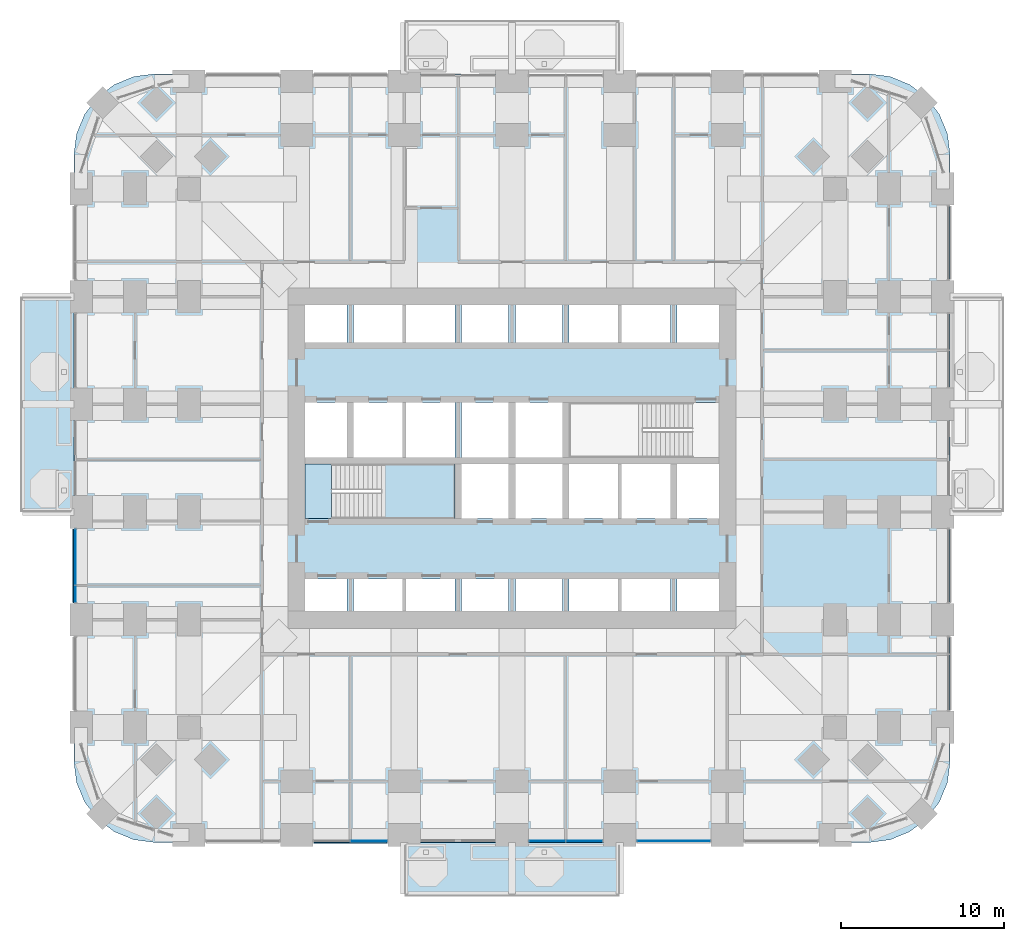
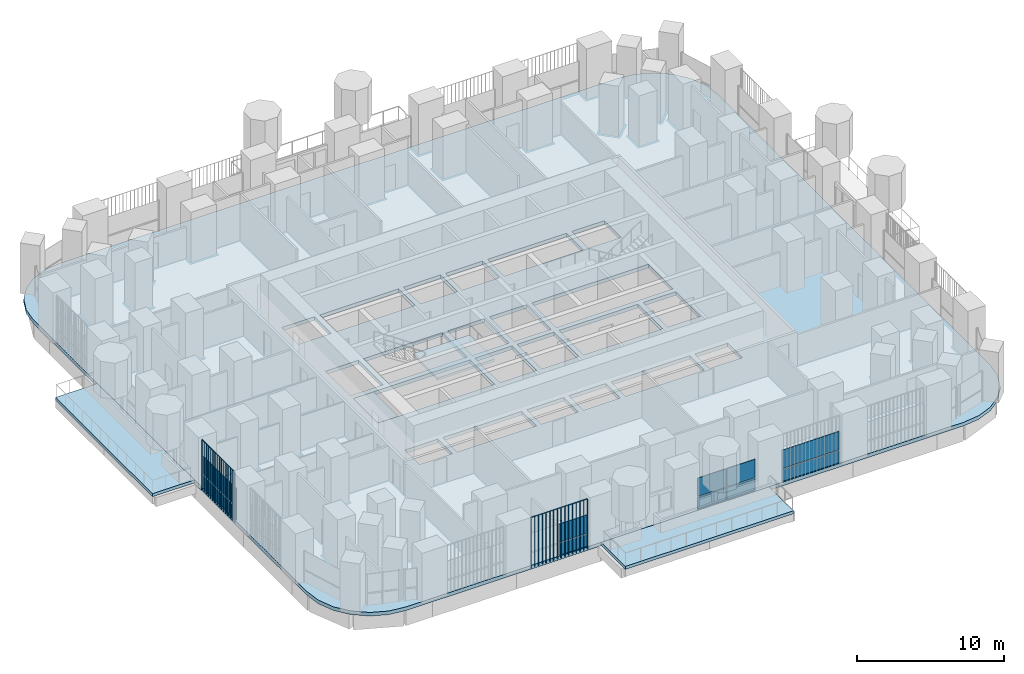
# One storey, part 11 of 25: 14 plates, 5 slabs, 5 elements without a shape of their own.
"""IFC4 building model written with IfcOpenShell, lengths in metres."""

from ifc_helpers import new_model, si_unit, direction, frame, origin, origin_2d, place, context, subcontext, project, spatial, polyline, rectangle, outline, extrude, material, layer, layer_set, type_object, element, aggregate, save


model = new_model("IFC4")

# Units and contexts
model_context = context("Model", 3, precision=1e-05, world=origin(), true_north=direction((0.0, 1.0)))
body_context = subcontext(model_context, "Body", "Model", "MODEL_VIEW")
ifc_project = project(units=[si_unit("LENGTHUNIT", "METRE"), si_unit("AREAUNIT", "SQUARE_METRE"), si_unit("VOLUMEUNIT", "CUBIC_METRE"), si_unit("PLANEANGLEUNIT", "RADIAN"), si_unit("MASSUNIT", "GRAM", prefix="KILO")], contexts=[model_context])

# Site, building, storey
site_placement = place(None, origin())
site = spatial("IfcSite", under=ifc_project, at=site_placement, CompositionType="ELEMENT")
building_placement = place(site_placement, origin())
building = spatial("IfcBuilding", under=site, at=building_placement, Name="Cobogo Forest Laboratory Tower", CompositionType="ELEMENT")
storey_placement = place(building_placement, frame((0.0, 0.0, 67.5)))
storey = spatial("IfcBuildingStorey", under=building, at=storey_placement, Name="L15", CompositionType="ELEMENT", Elevation=67.5)

# Slabs
ifc_material_1 = material(Name="Concrete HA-40 (C40/50)", Category="concrete")
ifc_layer_1 = layer(ifc_material_1, 0.25)
ifc_layer_set_1 = layer_set([ifc_layer_1], Name="Balcony slab 250")
slab_type_1 = type_object("IfcSlabType", Name="Balcony slab 250", PredefinedType="FLOOR", material=ifc_layer_set_1)
slab_1_placement = place(storey_placement, frame((0.0, 0.0, -0.25)))
element("IfcSlab", 1, at=slab_1_placement, inside=storey, type_object=slab_type_1, Name="Balcony BAL-S1 L15", PredefinedType="FLOOR", context=body_context, shape_type="SweptSolid", body=[
    extrude(outline(polyline([(19.800048828125, -3.75), (33.0, -3.75), (33.0, -0.449951171875), (19.800048828125, -0.449951171875), (19.800048828125, -3.75)])), origin(), (0.0, 0.0, 1.0), 0.25),
])
slab_2_placement = place(storey_placement, frame((0.0, 0.0, -0.25)))
element("IfcSlab", 2, at=slab_2_placement, inside=storey, type_object=slab_type_1, Name="Balcony BAL-W1 L15", PredefinedType="FLOOR", context=body_context, shape_type="SweptSolid", body=[
    extrude(outline(polyline([(-3.75, 19.800048828125), (-0.449951171875, 19.800048828125), (-0.449951171875, 33.0), (-3.75, 33.0), (-3.75, 19.800048828125)])), origin(), (0.0, 0.0, 1.0), 0.25),
])
ifc_layer_2 = layer(ifc_material_1, 0.300048828125)
ifc_layer_set_2 = layer_set([ifc_layer_2], Name="Floor slab 300")
slab_type_2 = type_object("IfcSlabType", Name="Floor slab 300", PredefinedType="FLOOR", material=ifc_layer_set_2)
slab_3_placement = place(storey_placement, frame((0.0, 0.0, -0.300048828125)))
element("IfcSlab", 3, at=slab_3_placement, inside=storey, type_object=slab_type_2, Name="L15 floor slab", PredefinedType="FLOOR", context=body_context, shape_type="SweptSolid", body=[
    extrude(outline(polyline([(48.300048828125, -0.449951171875), (49.5810546875, -0.28125), (50.77490234375, 0.213134765625), (51.80029296875, 0.999755859375), (52.5869140625, 2.02490234375), (53.081298828125, 3.21875), (53.25, 4.5), (53.25, 41.699951171875), (53.081298828125, 42.981201171875), (52.5869140625, 44.175048828125), (51.80029296875, 45.2001953125), (50.77490234375, 45.98681640625), (49.5810546875, 46.4814453125), (48.300048828125, 46.64990234375), (4.5, 46.64990234375), (3.21875, 46.4814453125), (2.02490234375, 45.98681640625), (0.999755859375, 45.2001953125), (0.213134765625, 44.175048828125), (-0.28125, 42.981201171875), (-0.449951171875, 41.699951171875), (-0.449951171875, 4.5), (-0.28125, 3.21875), (0.213134765625, 2.02490234375), (0.999755859375, 0.999755859375), (2.02490234375, 0.213134765625), (3.21875, -0.28125), (4.5, -0.449951171875), (48.300048828125, -0.449951171875)]), holes=[polyline([(16.300048828125, 13.72509765625), (13.72509765625, 13.72509765625), (13.72509765625, 15.699951171875), (16.300048828125, 15.699951171875), (16.300048828125, 13.72509765625)]), polyline([(22.89990234375, 15.699951171875), (22.89990234375, 13.72509765625), (16.699951171875, 13.72509765625), (16.699951171875, 15.699951171875), (22.89990234375, 15.699951171875)]), polyline([(23.300048828125, 13.72509765625), (23.300048828125, 15.699951171875), (26.199951171875, 15.699951171875), (26.199951171875, 13.72509765625), (23.300048828125, 13.72509765625)]), polyline([(29.5, 13.72509765625), (26.60009765625, 13.72509765625), (26.60009765625, 15.699951171875), (29.5, 15.699951171875), (29.5, 13.72509765625)]), polyline([(36.10009765625, 15.699951171875), (36.10009765625, 13.72509765625), (29.89990234375, 13.72509765625), (29.89990234375, 15.699951171875), (36.10009765625, 15.699951171875)]), polyline([(36.5, 13.72509765625), (36.5, 15.699951171875), (39.074951171875, 15.699951171875), (39.074951171875, 13.72509765625), (36.5, 13.72509765625)]), polyline([(13.72509765625, 19.39990234375), (13.72509765625, 22.75), (22.89990234375, 22.75), (22.89990234375, 19.39990234375), (13.72509765625, 19.39990234375)]), polyline([(23.300048828125, 19.39990234375), (23.300048828125, 22.75), (26.199951171875, 22.75), (26.199951171875, 19.39990234375), (23.300048828125, 19.39990234375)]), polyline([(26.60009765625, 19.39990234375), (26.60009765625, 22.75), (29.5, 22.75), (29.5, 19.39990234375), (26.60009765625, 19.39990234375)]), polyline([(36.10009765625, 22.75), (36.10009765625, 19.39990234375), (29.89990234375, 19.39990234375), (29.89990234375, 22.75), (36.10009765625, 22.75)]), polyline([(39.074951171875, 19.39990234375), (36.5, 19.39990234375), (36.5, 22.75), (39.074951171875, 22.75), (39.074951171875, 19.39990234375)]), polyline([(13.72509765625, 23.14990234375), (13.72509765625, 26.5), (16.300048828125, 26.5), (16.300048828125, 23.14990234375), (13.72509765625, 23.14990234375)]), polyline([(22.89990234375, 26.5), (22.89990234375, 23.14990234375), (16.699951171875, 23.14990234375), (16.699951171875, 26.5), (22.89990234375, 26.5)]), polyline([(23.300048828125, 23.14990234375), (23.300048828125, 26.5), (26.199951171875, 26.5), (26.199951171875, 23.14990234375), (23.300048828125, 23.14990234375)]), polyline([(26.60009765625, 23.14990234375), (26.60009765625, 26.5), (29.5, 26.5), (29.5, 23.14990234375), (26.60009765625, 23.14990234375)]), polyline([(29.89990234375, 23.14990234375), (29.89990234375, 26.5), (39.074951171875, 26.5), (39.074951171875, 23.14990234375), (29.89990234375, 23.14990234375)]), polyline([(13.72509765625, 30.199951171875), (13.72509765625, 32.47509765625), (16.300048828125, 32.47509765625), (16.300048828125, 30.199951171875), (13.72509765625, 30.199951171875)]), polyline([(22.89990234375, 32.47509765625), (22.89990234375, 30.199951171875), (16.699951171875, 30.199951171875), (16.699951171875, 32.47509765625), (22.89990234375, 32.47509765625)]), polyline([(23.300048828125, 30.199951171875), (23.300048828125, 32.47509765625), (26.199951171875, 32.47509765625), (26.199951171875, 30.199951171875), (23.300048828125, 30.199951171875)]), polyline([(26.60009765625, 30.199951171875), (26.60009765625, 32.47509765625), (29.5, 32.47509765625), (29.5, 30.199951171875), (26.60009765625, 30.199951171875)]), polyline([(36.10009765625, 32.47509765625), (36.10009765625, 30.199951171875), (29.89990234375, 30.199951171875), (29.89990234375, 32.47509765625), (36.10009765625, 32.47509765625)]), polyline([(36.5, 30.199951171875), (36.5, 32.47509765625), (39.074951171875, 32.47509765625), (39.074951171875, 30.199951171875), (36.5, 30.199951171875)])]), origin(), (0.0, 0.0, 1.0), 0.300048828125),
])

# Curtain wall, plates
ifc_material_2 = material(Name="Aluminium curtain wall", Category="aluminium")
curtain_wall_type = type_object("IfcCurtainWallType", Name="CW-1 unitised curtain wall, clear glazing, laboratory floors zones A and B", PredefinedType="USERDEFINED", material=ifc_material_2)
curtain_wall_1_placement = place(storey_placement, origin())
curtain_wall_1 = element("IfcCurtainWall", 4, at=curtain_wall_1_placement, inside=storey, type_object=curtain_wall_type, Name="Curtain wall 02 L15", ObjectType="UNITISED CURTAIN WALL", PredefinedType="USERDEFINED")
ifc_material_3 = material(Name="Clear insulated glass", Category="glass")
ifc_layer_3 = layer(ifc_material_3, 0.028076171875)
ifc_layer_set_3 = layer_set([ifc_layer_3], Name="GP-1 clear insulated glass unit 28")
plate_type_1 = type_object("IfcPlateType", Name="GP-1 clear insulated glass unit 28", PredefinedType="CURTAIN_PANEL", material=ifc_layer_set_3)
plate_1_placement = place(storey_placement, frame((17.635009765625, -0.35009765625, 0.0), z_axis=(0.0, 0.0, 1.0), x_axis=(1.0, 0.0, 0.0)))
plate_1 = element("IfcPlate", 5, at=plate_1_placement, type_object=plate_type_1, Name="CW-1 panel 2.1", PredefinedType="CURTAIN_PANEL", context=body_context, shape_type="SweptSolid", body=[
    extrude(rectangle(XDim=2.2099609375, YDim=0.028076171875, at=origin_2d()), origin(), (0.0, 0.0, 1.0), 1.02001953125),
])
plate_2_placement = place(storey_placement, frame((17.635009765625, -0.35009765625, 1.080078125), z_axis=(0.0, 0.0, 1.0), x_axis=(1.0, 0.0, 0.0)))
plate_2 = element("IfcPlate", 6, at=plate_2_placement, type_object=plate_type_1, Name="CW-1 panel 2.2", PredefinedType="CURTAIN_PANEL", context=body_context, shape_type="SweptSolid", body=[
    extrude(rectangle(XDim=2.2099609375, YDim=0.028076171875, at=origin_2d()), origin(), (0.0, 0.0, 1.0), 1.52001953125),
])
aggregate(curtain_wall_1, [plate_1, plate_2])

curtain_wall_2_placement = place(storey_placement, origin())
curtain_wall_2 = element("IfcCurtainWall", 7, at=curtain_wall_2_placement, inside=storey, type_object=curtain_wall_type, Name="Curtain wall 04 L15", ObjectType="UNITISED CURTAIN WALL", PredefinedType="USERDEFINED")
plate_3_placement = place(storey_placement, frame((28.56494140625, -0.35009765625, 0.0), z_axis=(0.0, 0.0, 1.0), x_axis=(1.0, 0.0, 0.0)))
plate_3 = element("IfcPlate", 8, at=plate_3_placement, type_object=plate_type_1, Name="CW-1 panel 1.1", PredefinedType="CURTAIN_PANEL", context=body_context, shape_type="SweptSolid", body=[
    extrude(rectangle(XDim=2.2099609375, YDim=0.028076171875, at=origin_2d()), origin(), (0.0, 0.0, 1.0), 1.02001953125),
])
plate_4_placement = place(storey_placement, frame((28.56494140625, -0.35009765625, 1.080078125), z_axis=(0.0, 0.0, 1.0), x_axis=(1.0, 0.0, 0.0)))
plate_4 = element("IfcPlate", 9, at=plate_4_placement, type_object=plate_type_1, Name="CW-1 panel 1.2", PredefinedType="CURTAIN_PANEL", context=body_context, shape_type="SweptSolid", body=[
    extrude(rectangle(XDim=2.2099609375, YDim=0.028076171875, at=origin_2d()), origin(), (0.0, 0.0, 1.0), 1.52001953125),
])
plate_5_placement = place(storey_placement, frame((30.8349609375, -0.35009765625, 0.0), z_axis=(0.0, 0.0, 1.0), x_axis=(1.0, 0.0, 0.0)))
plate_5 = element("IfcPlate", 10, at=plate_5_placement, type_object=plate_type_1, Name="CW-1 panel 2.1", PredefinedType="CURTAIN_PANEL", context=body_context, shape_type="SweptSolid", body=[
    extrude(rectangle(XDim=2.2099609375, YDim=0.028076171875, at=origin_2d()), origin(), (0.0, 0.0, 1.0), 1.02001953125),
])
plate_6_placement = place(storey_placement, frame((30.8349609375, -0.35009765625, 1.080078125), z_axis=(0.0, 0.0, 1.0), x_axis=(1.0, 0.0, 0.0)))
plate_6 = element("IfcPlate", 11, at=plate_6_placement, type_object=plate_type_1, Name="CW-1 panel 2.2", PredefinedType="CURTAIN_PANEL", context=body_context, shape_type="SweptSolid", body=[
    extrude(rectangle(XDim=2.2099609375, YDim=0.028076171875, at=origin_2d()), origin(), (0.0, 0.0, 1.0), 1.52001953125),
])
aggregate(curtain_wall_2, [plate_3, plate_4, plate_5, plate_6])

curtain_wall_3_placement = place(storey_placement, origin())
curtain_wall_3 = element("IfcCurtainWall", 12, at=curtain_wall_3_placement, inside=storey, type_object=curtain_wall_type, Name="Curtain wall 05 L15", ObjectType="UNITISED CURTAIN WALL", PredefinedType="USERDEFINED")
plate_7_placement = place(storey_placement, frame((36.300048828125, -0.35009765625, 0.0), z_axis=(0.0, 0.0, 1.0), x_axis=(1.0, 0.0, 0.0)))
plate_7 = element("IfcPlate", 13, at=plate_7_placement, type_object=plate_type_1, Name="CW-1 panel 1.1", PredefinedType="CURTAIN_PANEL", context=body_context, shape_type="SweptSolid", body=[
    extrude(rectangle(XDim=4.47998046875, YDim=0.028076171875, at=origin_2d()), origin(), (0.0, 0.0, 1.0), 1.02001953125),
])
plate_8_placement = place(storey_placement, frame((36.300048828125, -0.35009765625, 1.080078125), z_axis=(0.0, 0.0, 1.0), x_axis=(1.0, 0.0, 0.0)))
plate_8 = element("IfcPlate", 14, at=plate_8_placement, type_object=plate_type_1, Name="CW-1 panel 1.2", PredefinedType="CURTAIN_PANEL", context=body_context, shape_type="SweptSolid", body=[
    extrude(rectangle(XDim=4.47998046875, YDim=0.028076171875, at=origin_2d()), origin(), (0.0, 0.0, 1.0), 1.52001953125),
])
aggregate(curtain_wall_3, [plate_7, plate_8])

curtain_wall_4_placement = place(storey_placement, origin())
curtain_wall_4 = element("IfcCurtainWall", 15, at=curtain_wall_4_placement, inside=storey, type_object=curtain_wall_type, Name="Curtain wall 30 L15", ObjectType="UNITISED CURTAIN WALL", PredefinedType="USERDEFINED")
plate_9_placement = place(storey_placement, frame((-0.35009765625, 17.034912109375, 0.0), z_axis=(0.0, 0.0, 1.0), x_axis=(0.0, -1.0, 0.0)))
plate_9 = element("IfcPlate", 16, at=plate_9_placement, type_object=plate_type_1, Name="CW-1 panel 1.1", PredefinedType="CURTAIN_PANEL", context=body_context, shape_type="SweptSolid", body=[
    extrude(rectangle(XDim=3.409912109375, YDim=0.028076171875, at=origin_2d()), origin(), (0.0, 0.0, 1.0), 1.02001953125),
])
plate_10_placement = place(storey_placement, frame((-0.35009765625, 17.034912109375, 1.080078125), z_axis=(0.0, 0.0, 1.0), x_axis=(0.0, -1.0, 0.0)))
plate_10 = element("IfcPlate", 17, at=plate_10_placement, type_object=plate_type_1, Name="CW-1 panel 1.2", PredefinedType="CURTAIN_PANEL", context=body_context, shape_type="SweptSolid", body=[
    extrude(rectangle(XDim=3.409912109375, YDim=0.028076171875, at=origin_2d()), origin(), (0.0, 0.0, 1.0), 1.52001953125),
])
plate_11_placement = place(storey_placement, frame((-0.35009765625, 14.764892578125, 0.0), z_axis=(0.0, 0.0, 1.0), x_axis=(0.0, -1.0, 0.0)))
plate_11 = element("IfcPlate", 18, at=plate_11_placement, type_object=plate_type_1, Name="CW-1 panel 2.1", PredefinedType="CURTAIN_PANEL", context=body_context, shape_type="SweptSolid", body=[
    extrude(rectangle(XDim=1.010009765625, YDim=0.028076171875, at=origin_2d()), origin(), (0.0, 0.0, 1.0), 1.02001953125),
])
plate_12_placement = place(storey_placement, frame((-0.35009765625, 14.764892578125, 1.080078125), z_axis=(0.0, 0.0, 1.0), x_axis=(0.0, -1.0, 0.0)))
plate_12 = element("IfcPlate", 19, at=plate_12_placement, type_object=plate_type_1, Name="CW-1 panel 2.2", PredefinedType="CURTAIN_PANEL", context=body_context, shape_type="SweptSolid", body=[
    extrude(rectangle(XDim=1.010009765625, YDim=0.028076171875, at=origin_2d()), origin(), (0.0, 0.0, 1.0), 1.52001953125),
])
aggregate(curtain_wall_4, [plate_9, plate_10, plate_11, plate_12])

# Stair, slabs
ifc_material_4 = material(Name="Precast concrete HA-40 (C40/50)", Category="concrete")
stair_type = type_object("IfcStairType", Name="ST24 exit stair 24 risers", PredefinedType="HALF_TURN_STAIR", material=ifc_material_4)
stair_placement = place(storey_placement, origin())
stair = element("IfcStair", 20, at=stair_placement, inside=storey, type_object=stair_type, Name="Stair 1 L15 to L16", PredefinedType="HALF_TURN_STAIR")
ifc_layer_4 = layer(ifc_material_1, 0.199951171875)
ifc_layer_set_4 = layer_set([ifc_layer_4], Name="SL stair landing 200")
slab_type_3 = type_object("IfcSlabType", Name="SL stair landing 200", PredefinedType="LANDING", material=ifc_layer_set_4)
slab_4_placement = place(storey_placement, frame((0.0, 0.0, -0.199951171875)))
slab_4 = element("IfcSlab", 21, at=slab_4_placement, type_object=slab_type_3, Name="ST1 landing 1", PredefinedType="LANDING", context=body_context, shape_type="SweptSolid", body=[
    extrude(outline(polyline([(13.72509765625, 19.39990234375), (15.326904296875, 19.39990234375), (15.326904296875, 22.75), (13.72509765625, 22.75), (13.72509765625, 19.39990234375)])), origin(), (0.0, 0.0, 1.0), 0.199951171875),
])
slab_5_placement = place(storey_placement, frame((0.0, 0.0, 1.89990234375)))
slab_5 = element("IfcSlab", 22, at=slab_5_placement, type_object=slab_type_3, Name="ST1 landing 2", PredefinedType="LANDING", context=body_context, shape_type="SweptSolid", body=[
    extrude(outline(polyline([(18.403076171875, 19.39990234375), (22.89990234375, 19.39990234375), (22.89990234375, 22.75), (18.403076171875, 22.75), (18.403076171875, 19.39990234375)])), origin(), (0.0, 0.0, 1.0), 0.2001953125),
])
aggregate(stair, [slab_4, slab_5])

# Plates
ifc_material_5 = material(Name="Terracotta", Category="masonry")
plate_type_2 = type_object("IfcPlateType", Name="TB1 terracotta baguette screen", PredefinedType="USERDEFINED", material=ifc_material_5)
plate_13_placement = place(storey_placement, frame((14.28125, -0.477783203125, -0.14990234375)))
element("IfcPlate", 23, at=plate_13_placement, inside=storey, type_object=plate_type_2, Name="Baguette screen S2 L15", ObjectType="BAGUETTE SCREEN", PredefinedType="USERDEFINED", context=body_context, shape_type="SweptSolid", body=[
    extrude(outline(polyline([(0.02880859375, 0.011962890625), (0.011962890625, 0.02880859375), (-0.011962890625, 0.02880859375), (-0.02880859375, 0.011962890625), (-0.02880859375, -0.011962890625), (-0.011962890625, -0.02880859375), (0.011962890625, -0.02880859375), (0.02880859375, -0.011962890625), (0.02880859375, 0.011962890625)])), frame((0.0, 0.0, 4.168701171875), z_axis=(1.0, 0.0, 0.0), x_axis=(0.0, 1.0, 0.0)), (0.0, 0.0, 1.0), 4.4375),
    extrude(outline(polyline([(0.02880859375, 0.011962890625), (0.011962890625, 0.02880859375), (-0.011962890625, 0.02880859375), (-0.02880859375, 0.011962890625), (-0.02880859375, -0.011962890625), (-0.011962890625, -0.02880859375), (0.011962890625, -0.02880859375), (0.02880859375, -0.011962890625), (0.02880859375, 0.011962890625)])), origin(), (0.0, 0.0, 1.0), 4.137451171875),
    extrude(outline(polyline([(0.02880859375, 0.011962890625), (0.011962890625, 0.02880859375), (-0.011962890625, 0.02880859375), (-0.02880859375, 0.011962890625), (-0.02880859375, -0.011962890625), (-0.011962890625, -0.02880859375), (0.011962890625, -0.02880859375), (0.02880859375, -0.011962890625), (0.02880859375, 0.011962890625)])), frame((0.2958984375, 0.0, 0.0)), (0.0, 0.0, 1.0), 4.137451171875),
    extrude(outline(polyline([(0.02880859375, 0.011962890625), (0.011962890625, 0.02880859375), (-0.011962890625, 0.02880859375), (-0.02880859375, 0.011962890625), (-0.02880859375, -0.011962890625), (-0.011962890625, -0.02880859375), (0.011962890625, -0.02880859375), (0.02880859375, -0.011962890625), (0.02880859375, 0.011962890625)])), frame((0.591552734375, 0.0, 0.0)), (0.0, 0.0, 1.0), 4.137451171875),
    extrude(outline(polyline([(0.02880859375, 0.011962890625), (0.011962890625, 0.02880859375), (-0.011962890625, 0.02880859375), (-0.02880859375, 0.011962890625), (-0.02880859375, -0.011962890625), (-0.011962890625, -0.02880859375), (0.011962890625, -0.02880859375), (0.02880859375, -0.011962890625), (0.02880859375, 0.011962890625)])), frame((0.887451171875, 0.0, 0.0)), (0.0, 0.0, 1.0), 4.137451171875),
    extrude(outline(polyline([(0.02880859375, 0.011962890625), (0.011962890625, 0.02880859375), (-0.011962890625, 0.02880859375), (-0.02880859375, 0.011962890625), (-0.02880859375, -0.011962890625), (-0.011962890625, -0.02880859375), (0.011962890625, -0.02880859375), (0.02880859375, -0.011962890625), (0.02880859375, 0.011962890625)])), frame((1.183349609375, 0.0, 0.0)), (0.0, 0.0, 1.0), 4.137451171875),
    extrude(outline(polyline([(0.02880859375, 0.011962890625), (0.011962890625, 0.02880859375), (-0.011962890625, 0.02880859375), (-0.02880859375, 0.011962890625), (-0.02880859375, -0.011962890625), (-0.011962890625, -0.02880859375), (0.011962890625, -0.02880859375), (0.02880859375, -0.011962890625), (0.02880859375, 0.011962890625)])), frame((1.479248046875, 0.0, 0.0)), (0.0, 0.0, 1.0), 4.137451171875),
    extrude(outline(polyline([(0.02880859375, 0.011962890625), (0.011962890625, 0.02880859375), (-0.011962890625, 0.02880859375), (-0.02880859375, 0.011962890625), (-0.02880859375, -0.011962890625), (-0.011962890625, -0.02880859375), (0.011962890625, -0.02880859375), (0.02880859375, -0.011962890625), (0.02880859375, 0.011962890625)])), frame((1.77490234375, 0.0, 0.0)), (0.0, 0.0, 1.0), 4.137451171875),
    extrude(outline(polyline([(0.02880859375, 0.011962890625), (0.011962890625, 0.02880859375), (-0.011962890625, 0.02880859375), (-0.02880859375, 0.011962890625), (-0.02880859375, -0.011962890625), (-0.011962890625, -0.02880859375), (0.011962890625, -0.02880859375), (0.02880859375, -0.011962890625), (0.02880859375, 0.011962890625)])), frame((2.07080078125, 0.0, 0.0)), (0.0, 0.0, 1.0), 4.137451171875),
    extrude(outline(polyline([(0.02880859375, 0.011962890625), (0.011962890625, 0.02880859375), (-0.011962890625, 0.02880859375), (-0.02880859375, 0.011962890625), (-0.02880859375, -0.011962890625), (-0.011962890625, -0.02880859375), (0.011962890625, -0.02880859375), (0.02880859375, -0.011962890625), (0.02880859375, 0.011962890625)])), frame((2.36669921875, 0.0, 0.0)), (0.0, 0.0, 1.0), 4.137451171875),
    extrude(outline(polyline([(0.02880859375, 0.011962890625), (0.011962890625, 0.02880859375), (-0.011962890625, 0.02880859375), (-0.02880859375, 0.011962890625), (-0.02880859375, -0.011962890625), (-0.011962890625, -0.02880859375), (0.011962890625, -0.02880859375), (0.02880859375, -0.011962890625), (0.02880859375, 0.011962890625)])), frame((2.66259765625, 0.0, 0.0)), (0.0, 0.0, 1.0), 4.137451171875),
    extrude(outline(polyline([(0.02880859375, 0.011962890625), (0.011962890625, 0.02880859375), (-0.011962890625, 0.02880859375), (-0.02880859375, 0.011962890625), (-0.02880859375, -0.011962890625), (-0.011962890625, -0.02880859375), (0.011962890625, -0.02880859375), (0.02880859375, -0.011962890625), (0.02880859375, 0.011962890625)])), frame((2.958251953125, 0.0, 0.0)), (0.0, 0.0, 1.0), 4.137451171875),
    extrude(outline(polyline([(0.02880859375, 0.011962890625), (0.011962890625, 0.02880859375), (-0.011962890625, 0.02880859375), (-0.02880859375, 0.011962890625), (-0.02880859375, -0.011962890625), (-0.011962890625, -0.02880859375), (0.011962890625, -0.02880859375), (0.02880859375, -0.011962890625), (0.02880859375, 0.011962890625)])), frame((3.254150390625, 0.0, 0.0)), (0.0, 0.0, 1.0), 4.137451171875),
    extrude(outline(polyline([(0.02880859375, 0.011962890625), (0.011962890625, 0.02880859375), (-0.011962890625, 0.02880859375), (-0.02880859375, 0.011962890625), (-0.02880859375, -0.011962890625), (-0.011962890625, -0.02880859375), (0.011962890625, -0.02880859375), (0.02880859375, -0.011962890625), (0.02880859375, 0.011962890625)])), frame((3.550048828125, 0.0, 0.0)), (0.0, 0.0, 1.0), 4.137451171875),
    extrude(outline(polyline([(0.02880859375, 0.011962890625), (0.011962890625, 0.02880859375), (-0.011962890625, 0.02880859375), (-0.02880859375, 0.011962890625), (-0.02880859375, -0.011962890625), (-0.011962890625, -0.02880859375), (0.011962890625, -0.02880859375), (0.02880859375, -0.011962890625), (0.02880859375, 0.011962890625)])), frame((3.845947265625, 0.0, 0.0)), (0.0, 0.0, 1.0), 4.137451171875),
    extrude(outline(polyline([(0.02880859375, 0.011962890625), (0.011962890625, 0.02880859375), (-0.011962890625, 0.02880859375), (-0.02880859375, 0.011962890625), (-0.02880859375, -0.011962890625), (-0.011962890625, -0.02880859375), (0.011962890625, -0.02880859375), (0.02880859375, -0.011962890625), (0.02880859375, 0.011962890625)])), frame((4.1416015625, 0.0, 0.0)), (0.0, 0.0, 1.0), 4.137451171875),
    extrude(outline(polyline([(0.02880859375, 0.011962890625), (0.011962890625, 0.02880859375), (-0.011962890625, 0.02880859375), (-0.02880859375, 0.011962890625), (-0.02880859375, -0.011962890625), (-0.011962890625, -0.02880859375), (0.011962890625, -0.02880859375), (0.02880859375, -0.011962890625), (0.02880859375, 0.011962890625)])), frame((4.4375, 0.0, 0.0)), (0.0, 0.0, 1.0), 4.137451171875),
])
plate_14_placement = place(storey_placement, frame((-0.477783203125, 14.28125, -0.14990234375)))
element("IfcPlate", 24, at=plate_14_placement, inside=storey, type_object=plate_type_2, Name="Baguette screen W2 L15", ObjectType="BAGUETTE SCREEN", PredefinedType="USERDEFINED", context=body_context, shape_type="SweptSolid", body=[
    extrude(outline(polyline([(0.02880859375, 0.011962890625), (0.011962890625, 0.02880859375), (-0.011962890625, 0.02880859375), (-0.02880859375, 0.011962890625), (-0.02880859375, -0.011962890625), (-0.011962890625, -0.02880859375), (0.011962890625, -0.02880859375), (0.02880859375, -0.011962890625), (0.02880859375, 0.011962890625)])), frame((0.0, 0.0, 4.168701171875), z_axis=(0.0, 1.0, 0.0), x_axis=(-1.0, 0.0, 0.0)), (0.0, 0.0, 1.0), 4.4375),
    extrude(outline(polyline([(0.02880859375, 0.011962890625), (0.011962890625, 0.02880859375), (-0.011962890625, 0.02880859375), (-0.02880859375, 0.011962890625), (-0.02880859375, -0.011962890625), (-0.011962890625, -0.02880859375), (0.011962890625, -0.02880859375), (0.02880859375, -0.011962890625), (0.02880859375, 0.011962890625)])), origin(), (0.0, 0.0, 1.0), 4.137451171875),
    extrude(outline(polyline([(0.02880859375, 0.011962890625), (0.011962890625, 0.02880859375), (-0.011962890625, 0.02880859375), (-0.02880859375, 0.011962890625), (-0.02880859375, -0.011962890625), (-0.011962890625, -0.02880859375), (0.011962890625, -0.02880859375), (0.02880859375, -0.011962890625), (0.02880859375, 0.011962890625)])), frame((0.0, 0.2958984375, 0.0)), (0.0, 0.0, 1.0), 4.137451171875),
    extrude(outline(polyline([(0.02880859375, 0.011962890625), (0.011962890625, 0.02880859375), (-0.011962890625, 0.02880859375), (-0.02880859375, 0.011962890625), (-0.02880859375, -0.011962890625), (-0.011962890625, -0.02880859375), (0.011962890625, -0.02880859375), (0.02880859375, -0.011962890625), (0.02880859375, 0.011962890625)])), frame((0.0, 0.591552734375, 0.0)), (0.0, 0.0, 1.0), 4.137451171875),
    extrude(outline(polyline([(0.02880859375, 0.011962890625), (0.011962890625, 0.02880859375), (-0.011962890625, 0.02880859375), (-0.02880859375, 0.011962890625), (-0.02880859375, -0.011962890625), (-0.011962890625, -0.02880859375), (0.011962890625, -0.02880859375), (0.02880859375, -0.011962890625), (0.02880859375, 0.011962890625)])), frame((0.0, 0.887451171875, 0.0)), (0.0, 0.0, 1.0), 4.137451171875),
    extrude(outline(polyline([(0.02880859375, 0.011962890625), (0.011962890625, 0.02880859375), (-0.011962890625, 0.02880859375), (-0.02880859375, 0.011962890625), (-0.02880859375, -0.011962890625), (-0.011962890625, -0.02880859375), (0.011962890625, -0.02880859375), (0.02880859375, -0.011962890625), (0.02880859375, 0.011962890625)])), frame((0.0, 1.183349609375, 0.0)), (0.0, 0.0, 1.0), 4.137451171875),
    extrude(outline(polyline([(0.02880859375, 0.011962890625), (0.011962890625, 0.02880859375), (-0.011962890625, 0.02880859375), (-0.02880859375, 0.011962890625), (-0.02880859375, -0.011962890625), (-0.011962890625, -0.02880859375), (0.011962890625, -0.02880859375), (0.02880859375, -0.011962890625), (0.02880859375, 0.011962890625)])), frame((0.0, 1.479248046875, 0.0)), (0.0, 0.0, 1.0), 4.137451171875),
    extrude(outline(polyline([(0.02880859375, 0.011962890625), (0.011962890625, 0.02880859375), (-0.011962890625, 0.02880859375), (-0.02880859375, 0.011962890625), (-0.02880859375, -0.011962890625), (-0.011962890625, -0.02880859375), (0.011962890625, -0.02880859375), (0.02880859375, -0.011962890625), (0.02880859375, 0.011962890625)])), frame((0.0, 1.77490234375, 0.0)), (0.0, 0.0, 1.0), 4.137451171875),
    extrude(outline(polyline([(0.02880859375, 0.011962890625), (0.011962890625, 0.02880859375), (-0.011962890625, 0.02880859375), (-0.02880859375, 0.011962890625), (-0.02880859375, -0.011962890625), (-0.011962890625, -0.02880859375), (0.011962890625, -0.02880859375), (0.02880859375, -0.011962890625), (0.02880859375, 0.011962890625)])), frame((0.0, 2.07080078125, 0.0)), (0.0, 0.0, 1.0), 4.137451171875),
    extrude(outline(polyline([(0.02880859375, 0.011962890625), (0.011962890625, 0.02880859375), (-0.011962890625, 0.02880859375), (-0.02880859375, 0.011962890625), (-0.02880859375, -0.011962890625), (-0.011962890625, -0.02880859375), (0.011962890625, -0.02880859375), (0.02880859375, -0.011962890625), (0.02880859375, 0.011962890625)])), frame((0.0, 2.36669921875, 0.0)), (0.0, 0.0, 1.0), 4.137451171875),
    extrude(outline(polyline([(0.02880859375, 0.011962890625), (0.011962890625, 0.02880859375), (-0.011962890625, 0.02880859375), (-0.02880859375, 0.011962890625), (-0.02880859375, -0.011962890625), (-0.011962890625, -0.02880859375), (0.011962890625, -0.02880859375), (0.02880859375, -0.011962890625), (0.02880859375, 0.011962890625)])), frame((0.0, 2.66259765625, 0.0)), (0.0, 0.0, 1.0), 4.137451171875),
    extrude(outline(polyline([(0.02880859375, 0.011962890625), (0.011962890625, 0.02880859375), (-0.011962890625, 0.02880859375), (-0.02880859375, 0.011962890625), (-0.02880859375, -0.011962890625), (-0.011962890625, -0.02880859375), (0.011962890625, -0.02880859375), (0.02880859375, -0.011962890625), (0.02880859375, 0.011962890625)])), frame((0.0, 2.958251953125, 0.0)), (0.0, 0.0, 1.0), 4.137451171875),
    extrude(outline(polyline([(0.02880859375, 0.011962890625), (0.011962890625, 0.02880859375), (-0.011962890625, 0.02880859375), (-0.02880859375, 0.011962890625), (-0.02880859375, -0.011962890625), (-0.011962890625, -0.02880859375), (0.011962890625, -0.02880859375), (0.02880859375, -0.011962890625), (0.02880859375, 0.011962890625)])), frame((0.0, 3.254150390625, 0.0)), (0.0, 0.0, 1.0), 4.137451171875),
    extrude(outline(polyline([(0.02880859375, 0.011962890625), (0.011962890625, 0.02880859375), (-0.011962890625, 0.02880859375), (-0.02880859375, 0.011962890625), (-0.02880859375, -0.011962890625), (-0.011962890625, -0.02880859375), (0.011962890625, -0.02880859375), (0.02880859375, -0.011962890625), (0.02880859375, 0.011962890625)])), frame((0.0, 3.550048828125, 0.0)), (0.0, 0.0, 1.0), 4.137451171875),
    extrude(outline(polyline([(0.02880859375, 0.011962890625), (0.011962890625, 0.02880859375), (-0.011962890625, 0.02880859375), (-0.02880859375, 0.011962890625), (-0.02880859375, -0.011962890625), (-0.011962890625, -0.02880859375), (0.011962890625, -0.02880859375), (0.02880859375, -0.011962890625), (0.02880859375, 0.011962890625)])), frame((0.0, 3.845947265625, 0.0)), (0.0, 0.0, 1.0), 4.137451171875),
    extrude(outline(polyline([(0.02880859375, 0.011962890625), (0.011962890625, 0.02880859375), (-0.011962890625, 0.02880859375), (-0.02880859375, 0.011962890625), (-0.02880859375, -0.011962890625), (-0.011962890625, -0.02880859375), (0.011962890625, -0.02880859375), (0.02880859375, -0.011962890625), (0.02880859375, 0.011962890625)])), frame((0.0, 4.1416015625, 0.0)), (0.0, 0.0, 1.0), 4.137451171875),
    extrude(outline(polyline([(0.02880859375, 0.011962890625), (0.011962890625, 0.02880859375), (-0.011962890625, 0.02880859375), (-0.02880859375, 0.011962890625), (-0.02880859375, -0.011962890625), (-0.011962890625, -0.02880859375), (0.011962890625, -0.02880859375), (0.02880859375, -0.011962890625), (0.02880859375, 0.011962890625)])), frame((0.0, 4.4375, 0.0)), (0.0, 0.0, 1.0), 4.137451171875),
])

save(model, "model.ifc")
